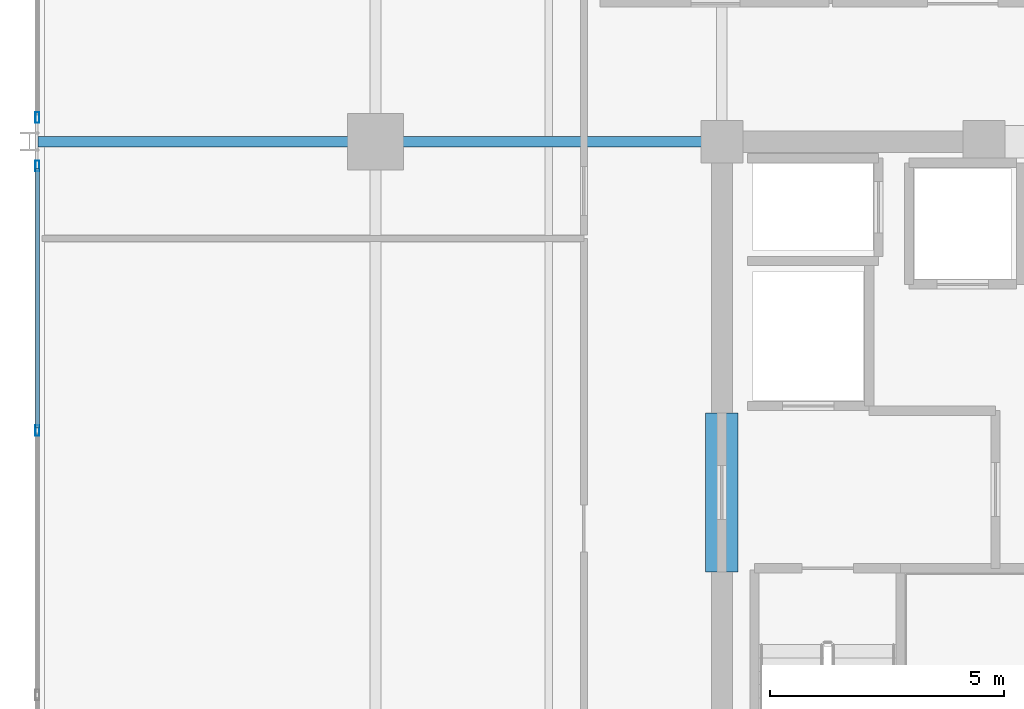
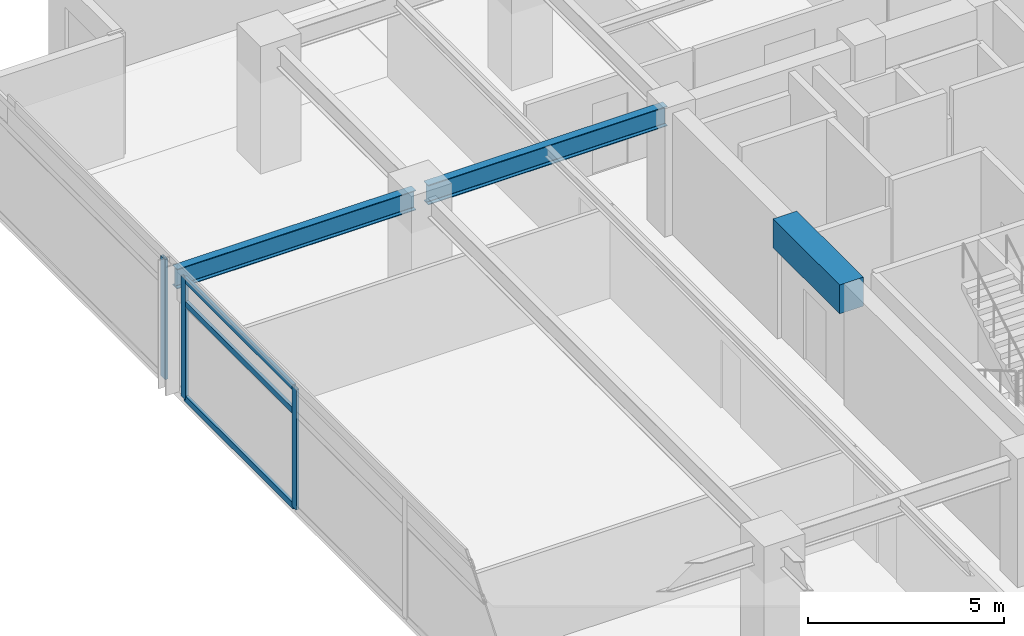
# One storey, part 6 of 21: 6 members, 3 beams, 2 elements without a shape of their own.
"""IFC4 building model written with IfcOpenShell, lengths in metres."""

from ifc_helpers import new_model, si_unit, direction, frame, origin, origin_2d, place, context, subcontext, project, spatial, rectangle, hollow_rectangle, i_section, extrude, material, material_profile, profile_set, type_object, element, aggregate, save


model = new_model("IFC4")

# Units and contexts
model_context = context("Model", 3, precision=1e-05, world=origin(), true_north=direction((0.0, 1.0)))
body_context = subcontext(model_context, "Body", "Model", "MODEL_VIEW")
ifc_project = project(units=[si_unit("LENGTHUNIT", "METRE"), si_unit("AREAUNIT", "SQUARE_METRE"), si_unit("VOLUMEUNIT", "CUBIC_METRE"), si_unit("PLANEANGLEUNIT", "RADIAN"), si_unit("MASSUNIT", "GRAM", prefix="KILO")], contexts=[model_context])

# Site, building, storey
site_placement = place(None, origin())
site = spatial("IfcSite", under=ifc_project, at=site_placement, CompositionType="ELEMENT")
building_placement = place(site_placement, origin())
building = spatial("IfcBuilding", under=site, at=building_placement, Name="Kovane Verandah Tower", CompositionType="ELEMENT")
storey_placement = place(building_placement, frame((0.0, 0.0, 283.199951171875)))
storey = spatial("IfcBuildingStorey", under=building, at=storey_placement, Name="L66", CompositionType="ELEMENT", Elevation=283.199951171875)

# Beams
ifc_material_1 = material(Name="Concrete C60/75", Category="concrete")
ifc_material_profile_1 = material_profile(ifc_material_1, rectangle(XDim=0.699951171875, YDim=0.89990234375, at=origin_2d()), Name="RCB700x900")
ifc_profile_set_1 = profile_set([ifc_material_profile_1], Name="Concrete C60/75")
beam_type_1 = type_object("IfcBeamType", Name="BM-LINTEL-700x900", PredefinedType="LINTEL", material=ifc_profile_set_1)
beam_placement = place(storey_placement, frame((29.0, 27.300048828125, 3.3349609375), z_axis=(0.0, 1.0, 0.0), x_axis=(-1.0, 0.0, 0.0)))
element("IfcBeam", 1, at=beam_placement, inside=storey, type_object=beam_type_1, Name="L66 Core Coupling Lintel CL-W", PredefinedType="LINTEL", context=body_context, shape_type="SweptSolid", body=[
    extrude(rectangle(XDim=0.699951171875, YDim=0.89990234375, at=origin_2d()), origin(), (0.0, 0.0, 1.0), 3.39990234375),
])
ifc_material_2 = material(Name="Steel S355", Category="steel")
ifc_material_profile_2 = material_profile(ifc_material_2, i_section(OverallWidth=0.230224609375, OverallDepth=0.6171875, WebThickness=0.01318359375, FlangeThickness=0.022216796875, FilletRadius=0.0126953125, at=origin_2d()), Name="UB610x229x140")
ifc_profile_set_2 = profile_set([ifc_material_profile_2], Name="Steel S355")
beam_type_2 = type_object("IfcBeamType", Name="BM-UB610x140", PredefinedType="BEAM", material=ifc_profile_set_2)
for number, where, z_axis, x_axis, name in (
    (2, (28.820068359375, 36.5, 3.4765625), (-1.0, 0.0, 0.0), (0.0, -1.0, 0.0), "L66 Primary Tower Girder G-W2"),
    (3, (21.419921875, 36.5, 3.451416015625), (-1.0, 0.0, 0.0), (0.0, -1.0, 0.0), "L66 Primary Tower Girder G-VW2"),
):
    element("IfcBeam", number, at=place(storey_placement, frame(where, z_axis=z_axis, x_axis=x_axis)), inside=storey, type_object=beam_type_2, Name=name, PredefinedType="BEAM", context=body_context, shape_type="SweptSolid", body=[
        extrude(i_section(OverallWidth=0.230224609375, OverallDepth=0.6171875, WebThickness=0.01318359375, FlangeThickness=0.022216796875, FilletRadius=0.0126953125, at=origin_2d()), origin(), (0.0, 0.0, 1.0), 7.0400390625),
    ])

# Curtain wall, member
ifc_material_3 = material(Name="Champagne Anodised Aluminium Frame with Low-E Clear Laminated Glass", Category="aluminium")
curtain_wall_type = type_object("IfcCurtainWallType", Name="CW-SYS-05-HIGH", PredefinedType="NOTDEFINED", material=ifc_material_3)
curtain_wall_1_placement = place(storey_placement, origin())
curtain_wall_1 = element("IfcCurtainWall", 4, at=curtain_wall_1_placement, inside=storey, type_object=curtain_wall_type, Name="L66 W Unitised Curtain Wall-1", PredefinedType="NOTDEFINED")
ifc_material_4 = material(Name="Champagne Anodised Aluminium 6063-T6", Category="aluminium")
ifc_material_profile_3 = material_profile(ifc_material_4, hollow_rectangle(XDim=0.0849609375, YDim=0.22998046875, WallThickness=0.00390625, at=origin_2d()), Name="AL85x230x4")
ifc_profile_set_3 = profile_set([ifc_material_profile_3], Name="Champagne Anodised Aluminium 6063-T6")
member_type_1 = type_object("IfcMemberType", Name="CW-MUL-85x230", PredefinedType="MULLION", material=ifc_profile_set_3)
member_1_placement = place(storey_placement, frame((14.36865234375, 37.02001953125, 0.02001953125), z_axis=(0.0, 0.0, 1.0), x_axis=(-1.0, 0.0, 0.0)))
member_1 = element("IfcMember", 5, at=member_1_placement, type_object=member_type_1, Name="L66 W Unitised Curtain Wall-1 Mullion 2", PredefinedType="MULLION", context=body_context, shape_type="SweptSolid", body=[
    extrude(hollow_rectangle(XDim=0.0849609375, YDim=0.22998046875, WallThickness=0.00390625, at=origin_2d()), origin(), (0.0, 0.0, 1.0), 3.7451171875),
])
aggregate(curtain_wall_1, [member_1])

# Curtain wall, members
curtain_wall_2_placement = place(storey_placement, origin())
curtain_wall_2 = element("IfcCurtainWall", 6, at=curtain_wall_2_placement, inside=storey, type_object=curtain_wall_type, Name="L66 W Unitised Curtain Wall-2", PredefinedType="NOTDEFINED")
member_2_placement = place(storey_placement, frame((14.36865234375, 35.97998046875, 0.02001953125), z_axis=(0.0, 0.0, 1.0), x_axis=(-1.0, 0.0, 0.0)))
member_2 = element("IfcMember", 7, at=member_2_placement, type_object=member_type_1, Name="L66 W Unitised Curtain Wall-2 Mullion 1", PredefinedType="MULLION", context=body_context, shape_type="SweptSolid", body=[
    extrude(hollow_rectangle(XDim=0.0849609375, YDim=0.22998046875, WallThickness=0.00390625, at=origin_2d()), origin(), (0.0, 0.0, 1.0), 3.7451171875),
])
member_3_placement = place(storey_placement, frame((14.36865234375, 30.32666015625, 0.02001953125), z_axis=(0.0, 0.0, 1.0), x_axis=(-1.0, 0.0, 0.0)))
member_3 = element("IfcMember", 8, at=member_3_placement, type_object=member_type_1, Name="L66 W Unitised Curtain Wall-2 Mullion 2", PredefinedType="MULLION", context=body_context, shape_type="SweptSolid", body=[
    extrude(hollow_rectangle(XDim=0.0849609375, YDim=0.22998046875, WallThickness=0.00390625, at=origin_2d()), origin(), (0.0, 0.0, 1.0), 3.7451171875),
])
ifc_material_profile_4 = material_profile(ifc_material_4, hollow_rectangle(XDim=0.0849609375, YDim=0.18994140625, WallThickness=0.00390625, at=origin_2d()), Name="AL85x190x4")
ifc_profile_set_4 = profile_set([ifc_material_profile_4], Name="Champagne Anodised Aluminium 6063-T6")
member_type_2 = type_object("IfcMemberType", Name="CW-TRN-85x190", PredefinedType="USERDEFINED", material=ifc_profile_set_4)
member_4_placement = place(storey_placement, frame((14.36865234375, 35.929931640625, 0.050048828125), z_axis=(0.0, -1.0, 0.0), x_axis=(1.0, 0.0, 0.0)))
member_4 = element("IfcMember", 9, at=member_4_placement, type_object=member_type_2, Name="L66 W Unitised Curtain Wall-2 Transom TB Bay 1", ObjectType="TRANSOM", PredefinedType="USERDEFINED", context=body_context, shape_type="SweptSolid", body=[
    extrude(hollow_rectangle(XDim=0.0849609375, YDim=0.18994140625, WallThickness=0.00390625, at=origin_2d()), origin(), (0.0, 0.0, 1.0), 5.55322265625),
])
member_5_placement = place(storey_placement, frame((14.36865234375, 35.929931640625, 3.005126953125), z_axis=(0.0, -1.0, 0.0), x_axis=(1.0, 0.0, 0.0)))
member_5 = element("IfcMember", 10, at=member_5_placement, type_object=member_type_2, Name="L66 W Unitised Curtain Wall-2 Transom TM Bay 1", ObjectType="TRANSOM", PredefinedType="USERDEFINED", context=body_context, shape_type="SweptSolid", body=[
    extrude(hollow_rectangle(XDim=0.0849609375, YDim=0.18994140625, WallThickness=0.00390625, at=origin_2d()), origin(), (0.0, 0.0, 1.0), 5.55322265625),
])
member_6_placement = place(storey_placement, frame((14.36865234375, 35.929931640625, 3.735107421875), z_axis=(0.0, -1.0, 0.0), x_axis=(1.0, 0.0, 0.0)))
member_6 = element("IfcMember", 11, at=member_6_placement, type_object=member_type_2, Name="L66 W Unitised Curtain Wall-2 Transom TT Bay 1", ObjectType="TRANSOM", PredefinedType="USERDEFINED", context=body_context, shape_type="SweptSolid", body=[
    extrude(hollow_rectangle(XDim=0.0849609375, YDim=0.18994140625, WallThickness=0.00390625, at=origin_2d()), origin(), (0.0, 0.0, 1.0), 5.55322265625),
])
aggregate(curtain_wall_2, [member_2, member_3, member_4, member_5, member_6])

save(model, "model.ifc")
